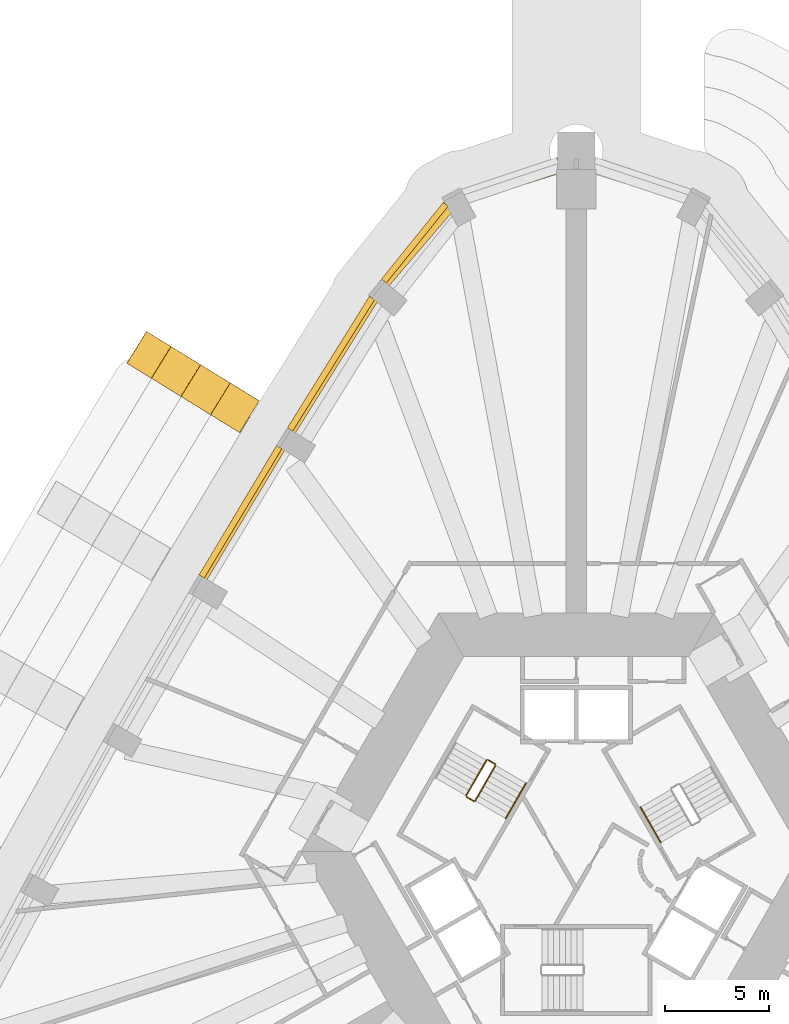
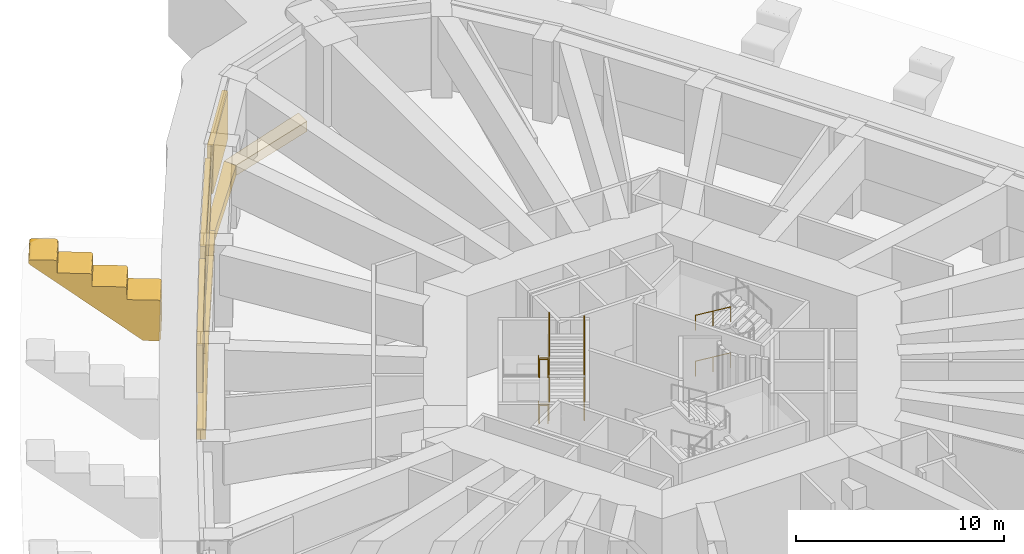
# One storey, part 18 of 21: 12 railings, 5 coverings, 3 shading devices.
"""IFC4 building model written with IfcOpenShell, lengths in metres."""

from ifc_helpers import new_model, si_unit, direction, frame, origin, origin_2d, place, context, subcontext, project, spatial, polyline, rectangle, circle, outline, extrude, material, layer, layer_set, type_object, element, save


model = new_model("IFC4")

# Units and contexts
model_context = context("Model", 3, precision=1e-05, world=origin(), true_north=direction((0.0, 1.0)))
body_context = subcontext(model_context, "Body", "Model", "MODEL_VIEW")
ifc_project = project(units=[si_unit("LENGTHUNIT", "METRE"), si_unit("AREAUNIT", "SQUARE_METRE"), si_unit("VOLUMEUNIT", "CUBIC_METRE"), si_unit("PLANEANGLEUNIT", "RADIAN"), si_unit("MASSUNIT", "GRAM", prefix="KILO")], contexts=[model_context])

# Site, building, storey
site_placement = place(None, origin())
site = spatial("IfcSite", under=ifc_project, at=site_placement, CompositionType="ELEMENT")
building_placement = place(site_placement, origin())
building = spatial("IfcBuilding", under=site, at=building_placement, Name="Entoto Arch Interchange Tower", CompositionType="ELEMENT")
storey_placement = place(building_placement, frame((0.0, 0.0, 236.0)))
storey = spatial("IfcBuildingStorey", under=building, at=storey_placement, Name="L53", CompositionType="ELEMENT", Elevation=236.0)

# Shading devices
ifc_material_1 = material(Name="Aluminium, anodised", Category="aluminium")
ifc_layer = layer(ifc_material_1, 0.300048828125)
ifc_layer_set = layer_set([ifc_layer], Name="Aluminium, anodised")
shading_device_type = type_object("IfcShadingDeviceType", Name="PLANT LOUVRE ALUMINIUM", PredefinedType="JALOUSIE", material=ifc_layer_set)
shading_device_1_placement = place(storey_placement, frame((-7.782958984375, 31.85791015625, 1.2001953125), z_axis=(0.0, 0.0, 1.0), x_axis=(-0.627106955174, -0.778933159374, 0.0)))
element("IfcShadingDevice", 1, at=shading_device_1_placement, inside=storey, type_object=shading_device_type, Name="Plant louvre N-04 L53", PredefinedType="JALOUSIE", context=body_context, shape_type="SweptSolid", body=[
    extrude(rectangle(XDim=4.741943359375, YDim=0.300048828125, at=origin_2d()), origin(), (0.0, 0.0, 1.0), 2.800048828125),
])
shading_device_2_placement = place(storey_placement, frame((-11.822998046875, 26.02392578125, 1.2001953125), z_axis=(0.0, 0.0, 1.0), x_axis=(-0.528956843387, -0.84864872464, 0.0)))
element("IfcShadingDevice", 2, at=shading_device_2_placement, inside=storey, type_object=shading_device_type, Name="Plant louvre NW-01 L53", PredefinedType="JALOUSIE", context=body_context, shape_type="SweptSolid", body=[
    extrude(rectangle(XDim=7.468994140625, YDim=0.300048828125, at=origin_2d()), origin(), (0.0, 0.0, 1.0), 2.800048828125),
])
shading_device_3_placement = place(storey_placement, frame((-16.18798828125, 18.887939453125, 1.2001953125), z_axis=(0.0, 0.0, 1.0), x_axis=(-0.514394633086, -0.857553591009, 0.0)))
element("IfcShadingDevice", 3, at=shading_device_3_placement, inside=storey, type_object=shading_device_type, Name="Plant louvre NW-02 L53", PredefinedType="JALOUSIE", context=body_context, shape_type="SweptSolid", body=[
    extrude(rectangle(XDim=7.264892578125, YDim=0.300048828125, at=origin_2d()), origin(), (0.0, 0.0, 1.0), 2.800048828125),
])

# Coverings
ifc_material_2 = material(Name="Board-marked precast concrete C50/60", Category="concrete")
covering_type_1 = type_object("IfcCoveringType", Name="PRECAST FRAME COURSE", PredefinedType="CLADDING", material=ifc_material_2)
covering_1_placement = place(storey_placement, frame((-16.031982421875, 24.7041015625, -0.56689453125), z_axis=(0.525241746819, 0.850948622027, 0.002747738817), x_axis=(0.709782621117, -0.436322357041, -0.553020281279)))
element("IfcCovering", 4, at=covering_1_placement, inside=storey, type_object=covering_type_1, Name="Fold rib NW02 L53", PredefinedType="CLADDING", context=body_context, shape_type="SweptSolid", body=[
    extrude(outline(polyline([(0.0, 0.0), (0.02913983443177723, 1.734723475976807e-18), (0.05688317498584524, -0.005229721119191122), (0.09661138958635548, -0.024274177202135202), (0.646348103952252, -0.3903394892701978), (0.6759793413210451, -0.42202177532008744), (0.6944819554727126, -0.46214066599856535), (0.7009608043364953, -0.5060017052197291), (0.6951628611303984, -0.5490376576591721), (0.6764706695245003, -0.5893729228341587), (-0.48549978319529596, -2.3384447818871874), (-0.5033789247649453, -2.361448103632538), (-0.5264349889528454, -2.3798447525341517), (-0.5520597461667613, -2.3938932815935616), (-0.595288110393294, -2.4050546471460588), (-0.6394150300915286, -2.403308665787301), (-0.6675238710466893, -2.394321089642334), (-0.6934237872737098, -2.380646739341404), (-1.9380294277582566, -1.5545264248169288), (-2.2790916982861202, -2.0662824765348993), (-2.3113889405437695, -2.09524391473549), (-2.3371742247838725, -2.1091910098089155), (-2.379989252705154, -2.1206247775106957), (-2.424809319494323, -2.11842040460269), (-2.452051726585815, -2.1100058178942835), (-2.477951642812836, -2.0963314675933535), (-3.749248795977294, -1.2524933816915622), (-4.089085299349475, -1.765064782522044), (-4.122075688698059, -1.7935678291733865), (-4.147274349860177, -1.8079019242834071), (-4.175905159516898, -1.8167352666178), (-4.22000039261296, -1.818531108411521), (-4.262738474740104, -1.8083297323321794), (-4.289064487018924, -1.794369815980639), (-5.559242397040649, -0.9512756876787063), (-5.900304667568513, -1.4630317393966767), (-5.932069289761413, -1.4923501351605308), (-5.957961098014467, -1.5062258387213032), (-5.986591907671186, -1.5150591810556961), (-6.0305266137410625, -1.516956456835402), (-6.072838599816409, -1.5070406468066708), (-6.099058088082278, -1.4931521219677828), (-7.012650280018542, -0.8867464183137663), (-7.045887370999047, -0.8561880932168155), (-7.062172534104231, -0.8321931706281989), (-7.073945012633566, -0.8053324172064271), (-7.079084114863541, -0.7767193709888054), (-7.079169620298995, -0.7464800806479142), (-7.074085859422816, -0.717621789549368), (-7.062069984605969, -0.6907258543060877), (-7.045463174401551, -0.6657065474151787), (-7.0246523994554995, -0.6446495324187924), (-6.9998979078505705, -0.6285544347133483), (-6.972134385407754, -0.6170948802360572), (-6.943619663612518, -0.6119936061519287), (0.0, 0.0)])), origin(), (0.0, 0.0, -1.0), 1.800048828125),
])
covering_type_2 = type_object("IfcCoveringType", Name="PRECAST LEDGE COURSE", PredefinedType="CLADDING", material=ifc_material_2)
covering_2_placement = place(storey_placement, frame((0.0, 0.0, -1.199951171875)))
element("IfcCovering", 5, at=covering_2_placement, inside=storey, type_object=covering_type_2, Name="Precast course N-03 L53", PredefinedType="CLADDING", context=body_context, shape_type="SweptSolid", body=[
    extrude(outline(polyline([(-5.705078125, 33.660888671875), (-6.034912109375, 34.26904296875), (-0.89990234375, 35.98291015625), (-0.89990234375, 35.166015625), (-5.705078125, 33.660888671875)])), origin(), (0.0, 0.0, 1.0), 0.599853515625),
])
covering_3_placement = place(storey_placement, frame((0.0, 0.0, -1.199951171875)))
element("IfcCovering", 6, at=covering_3_placement, inside=storey, type_object=covering_type_2, Name="Precast course N-04 L53", PredefinedType="CLADDING", context=body_context, shape_type="SweptSolid", body=[
    extrude(outline(polyline([(-9.3349609375, 29.4169921875), (-9.697998046875, 29.718017578125), (-6.034912109375, 34.26904296875), (-5.705078125, 33.660888671875), (-9.3349609375, 29.4169921875)])), origin(), (0.0, 0.0, 1.0), 0.599853515625),
])
covering_4_placement = place(storey_placement, frame((0.0, 0.0, -1.199951171875)))
element("IfcCovering", 7, at=covering_4_placement, inside=storey, type_object=covering_type_2, Name="Precast course NW-01 L53", PredefinedType="CLADDING", context=body_context, shape_type="SweptSolid", body=[
    extrude(outline(polyline([(-13.802001953125, 22.27001953125), (-14.19091796875, 22.510009765625), (-9.697998046875, 29.718017578125), (-9.3349609375, 29.4169921875), (-13.802001953125, 22.27001953125)])), origin(), (0.0, 0.0, 1.0), 0.599853515625),
])
covering_5_placement = place(storey_placement, frame((0.0, 0.0, -1.199951171875)))
element("IfcCovering", 8, at=covering_5_placement, inside=storey, type_object=covering_type_2, Name="Precast course NW-02 L53", PredefinedType="CLADDING", context=body_context, shape_type="SweptSolid", body=[
    extrude(outline(polyline([(-18.054931640625, 15.19091796875), (-18.443115234375, 15.4208984375), (-14.19091796875, 22.510009765625), (-13.802001953125, 22.27001953125), (-18.054931640625, 15.19091796875)])), origin(), (0.0, 0.0, 1.0), 0.599853515625),
])

# Railings
ifc_material_3 = material(Name="Stainless steel 1.4301", Category="steel")
railing_type_1 = type_object("IfcRailingType", Name="STAIR GUARD 1100 STEEL", PredefinedType="GUARDRAIL", material=ifc_material_3)
railing_1_placement = place(storey_placement, frame((-4.327880859375, 6.904052734375, 0.168701171875)))
element("IfcRailing", 9, at=railing_1_placement, inside=storey, type_object=railing_type_1, Name="L53 ST-NW stair guard 1", PredefinedType="GUARDRAIL", context=body_context, shape_type="SweptSolid", body=[
    extrude(circle(Radius=0.02392578125, at=origin_2d()), frame((0.0, 0.0, 1.076171875), z_axis=(-0.428204578836, -0.741730552229, 0.516213741153), x_axis=(0.866042469362, -0.499970440388, 0.0)), (0.0, 0.0, 1.0), 2.28857421875),
    extrude(circle(Radius=0.02099609375, at=origin_2d()), origin(), (0.0, 0.0, 1.0), 1.052001953125),
    extrude(circle(Radius=0.02099609375, at=origin_2d()), frame((-0.489990234375, -0.8486328125, 0.5908203125)), (0.0, 0.0, 1.0), 1.052001953125),
    extrude(circle(Radius=0.02099609375, at=origin_2d()), frame((-0.97998046875, -1.697509765625, 1.181396484375)), (0.0, 0.0, 1.0), 1.052001953125),
])
railing_2_placement = place(storey_placement, frame((-5.28955078125, 5.13818359375, 1.35009765625)))
element("IfcRailing", 10, at=railing_2_placement, inside=storey, type_object=railing_type_1, Name="L53 ST-NW stair guard 2", PredefinedType="GUARDRAIL", context=body_context, shape_type="SweptSolid", body=[
    extrude(circle(Radius=0.02392578125, at=origin_2d()), frame((0.0, 0.0, 1.076171875), z_axis=(0.866094119867, -0.499880961361, 0.0), x_axis=(0.499880961361, 0.866094119867, 0.0)), (0.0, 0.0, 1.0), 0.39990234375),
    extrude(circle(Radius=0.02099609375, at=origin_2d()), origin(), (0.0, 0.0, 1.0), 1.052001953125),
    extrude(circle(Radius=0.02099609375, at=origin_2d()), frame((0.346435546875, -0.199951171875, 0.0)), (0.0, 0.0, 1.0), 1.052001953125),
])
railing_3_placement = place(storey_placement, frame((-4.874755859375, 4.95654296875, 1.518798828125)))
element("IfcRailing", 11, at=railing_3_placement, inside=storey, type_object=railing_type_1, Name="L53 ST-NW stair guard 3", PredefinedType="GUARDRAIL", context=body_context, shape_type="SweptSolid", body=[
    extrude(circle(Radius=0.02392578125, at=origin_2d()), frame((0.0, 0.0, 1.076171875), z_axis=(0.428228158944, 0.741771397394, 0.516135484049), x_axis=(-0.866042469362, 0.499970440388, 0.0)), (0.0, 0.0, 1.0), 2.28857421875),
    extrude(circle(Radius=0.02099609375, at=origin_2d()), origin(), (0.0, 0.0, 1.0), 1.052001953125),
    extrude(circle(Radius=0.02099609375, at=origin_2d()), frame((0.489990234375, 0.8486328125, 0.590576171875)), (0.0, 0.0, 1.0), 1.052001953125),
    extrude(circle(Radius=0.02099609375, at=origin_2d()), frame((0.97998046875, 1.697509765625, 1.18115234375)), (0.0, 0.0, 1.0), 1.052001953125),
])
railing_4_placement = place(storey_placement, frame((-4.259521484375, 6.92236328125, 2.699951171875)))
element("IfcRailing", 12, at=railing_4_placement, inside=storey, type_object=railing_type_1, Name="L53 ST-NW stair guard 4", PredefinedType="GUARDRAIL", context=body_context, shape_type="SweptSolid", body=[
    extrude(circle(Radius=0.02392578125, at=origin_2d()), frame((0.0, 0.0, 1.076171875), z_axis=(0.865829829939, -0.500338590944, 0.0), x_axis=(0.500338590944, 0.865829829939, 0.0)), (0.0, 0.0, 1.0), 0.400146484375),
    extrude(circle(Radius=0.02099609375, at=origin_2d()), origin(), (0.0, 0.0, 1.0), 1.052001953125),
    extrude(circle(Radius=0.02099609375, at=origin_2d()), frame((0.346435546875, -0.2001953125, 0.0)), (0.0, 0.0, 1.0), 1.052001953125),
])
railing_5_placement = place(storey_placement, frame((-4.327880859375, 6.904052734375, 2.86865234375)))
element("IfcRailing", 13, at=railing_5_placement, inside=storey, type_object=railing_type_1, Name="L53 ST-NW stair guard 5", PredefinedType="GUARDRAIL", context=body_context, shape_type="SweptSolid", body=[
    extrude(circle(Radius=0.02392578125, at=origin_2d()), frame((0.0, 0.0, 1.076171875), z_axis=(-0.428204578836, -0.741730552229, 0.516213741153), x_axis=(0.866042469362, -0.499970440388, 0.0)), (0.0, 0.0, 1.0), 2.28857421875),
    extrude(circle(Radius=0.02099609375, at=origin_2d()), origin(), (0.0, 0.0, 1.0), 1.052001953125),
    extrude(circle(Radius=0.02099609375, at=origin_2d()), frame((-0.489990234375, -0.8486328125, 0.5908203125)), (0.0, 0.0, 1.0), 1.052001953125),
    extrude(circle(Radius=0.02099609375, at=origin_2d()), frame((-0.97998046875, -1.697509765625, 1.181396484375)), (0.0, 0.0, 1.0), 1.052001953125),
])
railing_6_placement = place(storey_placement, frame((-5.28955078125, 5.13818359375, 4.050048828125)))
element("IfcRailing", 14, at=railing_6_placement, inside=storey, type_object=railing_type_1, Name="L53 ST-NW stair guard 6", PredefinedType="GUARDRAIL", context=body_context, shape_type="SweptSolid", body=[
    extrude(circle(Radius=0.02392578125, at=origin_2d()), frame((0.0, 0.0, 1.076171875), z_axis=(0.866094119867, -0.499880961361, 0.0), x_axis=(0.499880961361, 0.866094119867, 0.0)), (0.0, 0.0, 1.0), 0.39990234375),
    extrude(circle(Radius=0.02099609375, at=origin_2d()), origin(), (0.0, 0.0, 1.0), 1.052001953125),
    extrude(circle(Radius=0.02099609375, at=origin_2d()), frame((0.346435546875, -0.199951171875, 0.0)), (0.0, 0.0, 1.0), 1.052001953125),
])
railing_7_placement = place(storey_placement, frame((-4.874755859375, 4.95654296875, 4.21875)))
element("IfcRailing", 15, at=railing_7_placement, inside=storey, type_object=railing_type_1, Name="L53 ST-NW stair guard 7", PredefinedType="GUARDRAIL", context=body_context, shape_type="SweptSolid", body=[
    extrude(circle(Radius=0.02392578125, at=origin_2d()), frame((0.0, 0.0, 1.076171875), z_axis=(0.428228158944, 0.741771397394, 0.516135484049), x_axis=(-0.866042469362, 0.499970440388, 0.0)), (0.0, 0.0, 1.0), 2.28857421875),
    extrude(circle(Radius=0.02099609375, at=origin_2d()), origin(), (0.0, 0.0, 1.0), 1.052001953125),
    extrude(circle(Radius=0.02099609375, at=origin_2d()), frame((0.489990234375, 0.8486328125, 0.590576171875)), (0.0, 0.0, 1.0), 1.052001953125),
    extrude(circle(Radius=0.02099609375, at=origin_2d()), frame((0.97998046875, 1.697509765625, 1.18115234375)), (0.0, 0.0, 1.0), 1.052001953125),
])
railing_8_placement = place(storey_placement, frame((-4.259521484375, 6.92236328125, 0.0)))
element("IfcRailing", 16, at=railing_8_placement, inside=storey, type_object=railing_type_1, Name="L53 ST-NW stair guard 8", PredefinedType="GUARDRAIL", context=body_context, shape_type="SweptSolid", body=[
    extrude(circle(Radius=0.02392578125, at=origin_2d()), frame((0.0, 0.0, 1.076171875), z_axis=(0.865829829939, -0.500338590944, 0.0), x_axis=(0.500338590944, 0.865829829939, 0.0)), (0.0, 0.0, 1.0), 0.400146484375),
    extrude(circle(Radius=0.02099609375, at=origin_2d()), origin(), (0.0, 0.0, 1.0), 1.052001953125),
    extrude(circle(Radius=0.02099609375, at=origin_2d()), frame((0.346435546875, -0.2001953125, 0.0)), (0.0, 0.0, 1.0), 1.052001953125),
])
railing_type_2 = type_object("IfcRailingType", Name="STAIR HANDRAIL 900 STEEL", PredefinedType="HANDRAIL", material=ifc_material_3)
for number, where, name in (
    (17, (3.092529296875, 4.6435546875, 1.518798828125), "L53 ST-NE stair handrail 2"),
    (18, (3.092529296875, 4.6435546875, 4.21875), "L53 ST-NE stair handrail 4"),
):
    element("IfcRailing", number, at=place(storey_placement, frame(where)), inside=storey, type_object=railing_type_2, Name=name, PredefinedType="HANDRAIL", context=body_context, shape_type="SweptSolid", body=[
        extrude(circle(Radius=0.02392578125, at=origin_2d()), frame((0.0, 0.0, 0.8759765625), z_axis=(0.428228158944, -0.741771397394, 0.516135484049), x_axis=(0.866042469362, 0.499970440388, 0.0)), (0.0, 0.0, 1.0), 2.28857421875),
        extrude(circle(Radius=0.02099609375, at=origin_2d()), origin(), (0.0, 0.0, 1.0), 0.851806640625),
        extrude(circle(Radius=0.02099609375, at=origin_2d()), frame((0.489990234375, -0.8486328125, 0.590576171875)), (0.0, 0.0, 1.0), 0.851806640625),
        extrude(circle(Radius=0.02099609375, at=origin_2d()), frame((0.97998046875, -1.697509765625, 1.18115234375)), (0.0, 0.0, 1.0), 0.851806640625),
    ])
for number, where, name in (
    (19, (-3.402587890625, 4.1064453125, 1.518798828125), "L53 ST-NW stair handrail 2"),
    (20, (-3.402587890625, 4.1064453125, 4.21875), "L53 ST-NW stair handrail 4"),
):
    element("IfcRailing", number, at=place(storey_placement, frame(where)), inside=storey, type_object=railing_type_2, Name=name, PredefinedType="HANDRAIL", context=body_context, shape_type="SweptSolid", body=[
        extrude(circle(Radius=0.02392578125, at=origin_2d()), frame((0.0, 0.0, 0.8759765625), z_axis=(0.428228158944, 0.741771397394, 0.516135484049), x_axis=(-0.866042469362, 0.499970440388, 0.0)), (0.0, 0.0, 1.0), 2.28857421875),
        extrude(circle(Radius=0.02099609375, at=origin_2d()), origin(), (0.0, 0.0, 1.0), 0.851806640625),
        extrude(circle(Radius=0.02099609375, at=origin_2d()), frame((0.489990234375, 0.8486328125, 0.590576171875)), (0.0, 0.0, 1.0), 0.851806640625),
        extrude(circle(Radius=0.02099609375, at=origin_2d()), frame((0.97998046875, 1.697509765625, 1.18115234375)), (0.0, 0.0, 1.0), 0.851806640625),
    ])

save(model, "model.ifc")
